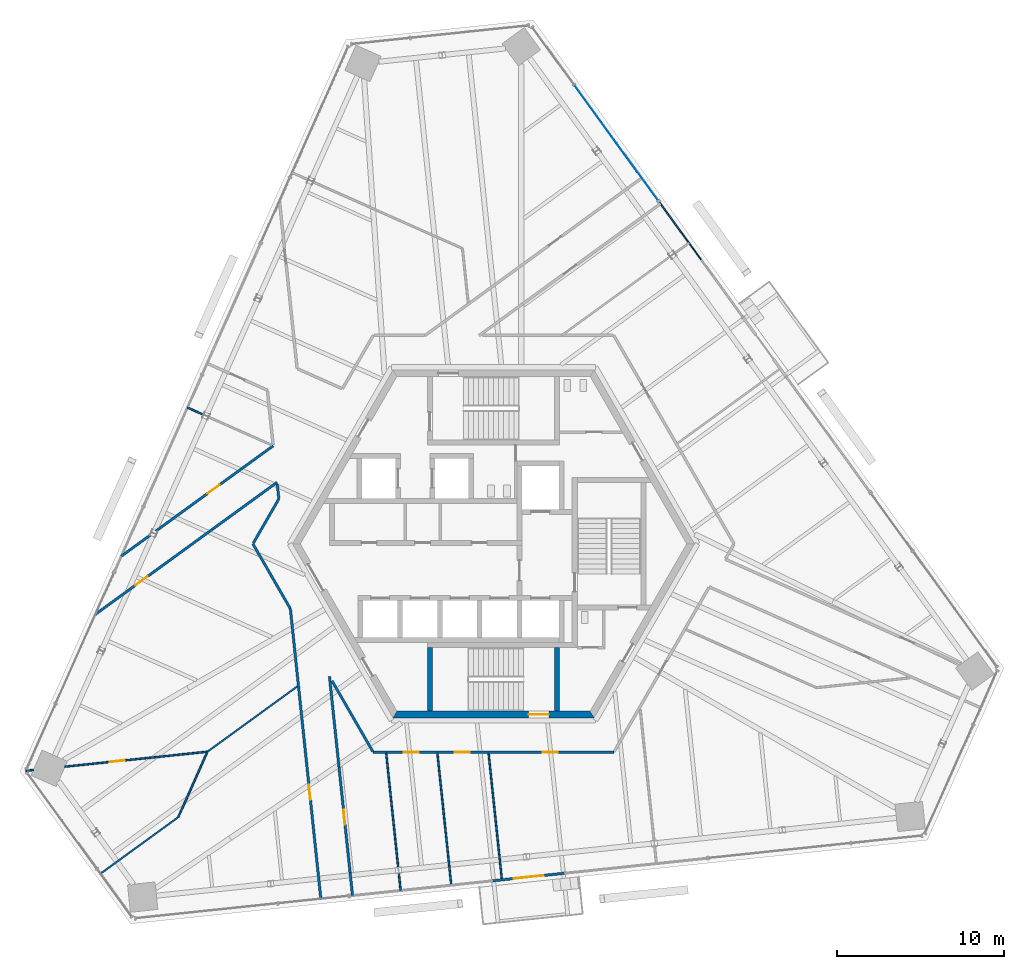
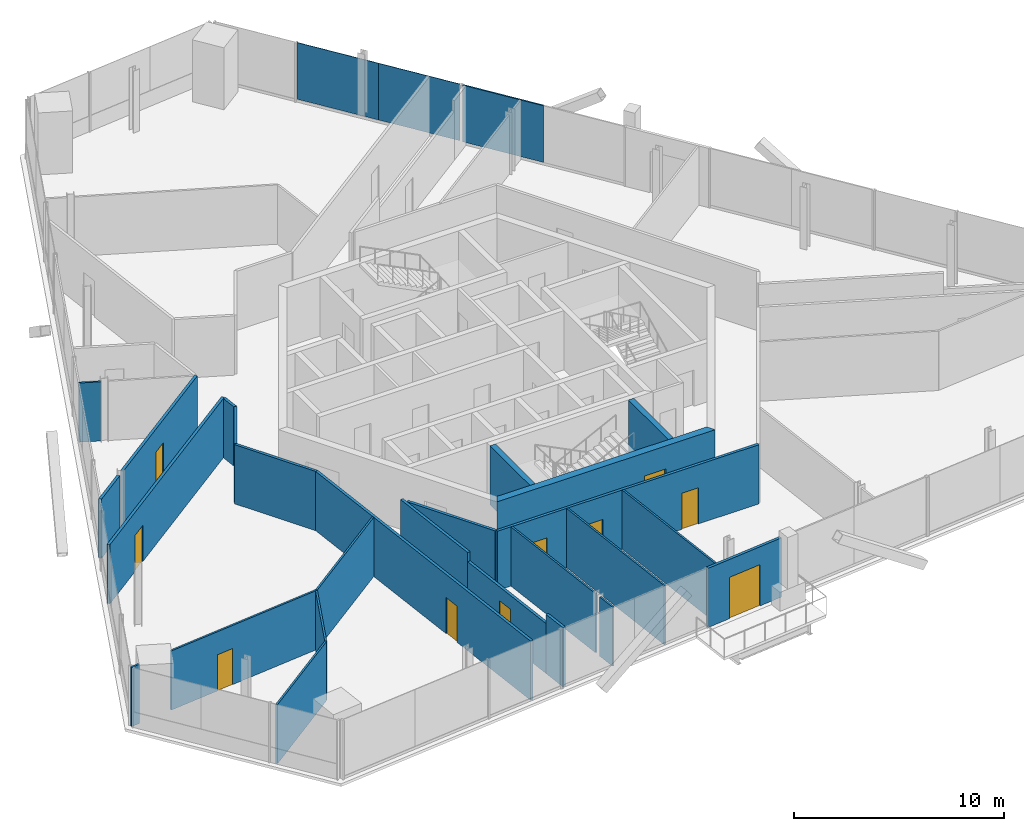
# One storey, part 11 of 18: 26 walls, 10 doors, 3 plates, 10 openings, 2 elements without a shape of their own.
"""IFC4 building model written with IfcOpenShell, lengths in metres."""

from ifc_helpers import new_model, si_unit, direction, frame, frame_2d, origin, origin_2d, place, context, subcontext, project, spatial, polyline, rectangle, outline, extrude, source, transform, mapped, material, layer, layer_set, type_object, element, fill, aggregate, save


model = new_model("IFC4")

# Units and contexts
model_context = context("Model", 3, precision=1e-05, world=origin(), true_north=direction((0.0, 1.0)))
body_context = subcontext(model_context, "Body", "Model", "MODEL_VIEW")
ifc_project = project(units=[si_unit("LENGTHUNIT", "METRE"), si_unit("AREAUNIT", "SQUARE_METRE"), si_unit("VOLUMEUNIT", "CUBIC_METRE"), si_unit("PLANEANGLEUNIT", "RADIAN"), si_unit("MASSUNIT", "GRAM", prefix="KILO")], contexts=[model_context])

# Site, building, storey
site_placement = place(None, origin())
site = spatial("IfcSite", under=ifc_project, at=site_placement, CompositionType="ELEMENT")
building_placement = place(site_placement, origin())
building = spatial("IfcBuilding", under=site, at=building_placement, Name="Triune Harvest Tower", CompositionType="ELEMENT")
storey_placement = place(building_placement, frame((0.0, 0.0, 230.5)))
storey = spatial("IfcBuildingStorey", under=building, at=storey_placement, Name="L60", CompositionType="ELEMENT", Elevation=230.5)

# Curtain wall, plates
ifc_material_1 = material(Name="Aluminium bronze anodised", Category="aluminium")
curtain_wall_type_1 = type_object("IfcCurtainWallType", Name="CW-6 Balcony window wall", PredefinedType="NOTDEFINED", material=ifc_material_1)
curtain_wall_1_placement = place(storey_placement, origin())
curtain_wall_1 = element("IfcCurtainWall", 1, at=curtain_wall_1_placement, inside=storey, type_object=curtain_wall_type_1, Name="CW-6 B6-F1 L60 run 1002")
ifc_material_2 = material(Name="Glass", Category="glass")
ifc_layer_1 = layer(ifc_material_2, 0.030029296875)
ifc_layer_set_1 = layer_set([ifc_layer_1], Name="Glass")
plate_type_1 = type_object("IfcPlateType", Name="GL-6 panel 30", PredefinedType="CURTAIN_PANEL", material=ifc_layer_set_1)
shared_shape_1 = source(origin(), body_context, "Body", "SweptSolid", [
    extrude(rectangle(XDim=4.223388671875, YDim=0.030029296875, at=origin_2d()), origin(), (0.0, 0.0, 1.0), 3.2900390625),
])
plate_1_placement = place(storey_placement, frame((8.576171875, 22.227783203125, 0.14990234375), z_axis=(0.0, 0.0, 1.0), x_axis=(-0.587786540333, 0.809016058557, 0.0)))
plate_1 = element("IfcPlate", 2, at=plate_1_placement, type_object=plate_type_1, Name="CW-6 panel B6-F1 1002.1", PredefinedType="CURTAIN_PANEL", context=body_context, shape_type="MappedRepresentation", body=[
    mapped(shared_shape_1, transform((0.0, 0.0, 0.0), scale=1.0)),
])
shared_shape_2 = source(origin(), body_context, "Body", "SweptSolid", [
    extrude(rectangle(XDim=4.260986328125, YDim=0.030029296875, at=origin_2d()), origin(), (0.0, 0.0, 1.0), 3.2900390625),
])
plate_2_placement = place(storey_placement, frame((6.082763671875, 25.65966796875, 0.14990234375), z_axis=(0.0, 0.0, 1.0), x_axis=(-0.587786540333, 0.809016058557, 0.0)))
plate_2 = element("IfcPlate", 3, at=plate_2_placement, type_object=plate_type_1, Name="CW-6 panel B6-F1 1002.2", PredefinedType="CURTAIN_PANEL", context=body_context, shape_type="MappedRepresentation", body=[
    mapped(shared_shape_2, transform((0.0, 0.0, 0.0), scale=1.0)),
])
aggregate(curtain_wall_1, [plate_1, plate_2])

# Curtain wall, plate
ifc_material_3 = material(Name="Aluminium bronze anodised", Category="aluminium")
curtain_wall_type_2 = type_object("IfcCurtainWallType", Name="CW-10 Balcony window wall with insulated spandrel infill", PredefinedType="NOTDEFINED", material=ifc_material_3)
curtain_wall_2_placement = place(storey_placement, origin())
curtain_wall_2 = element("IfcCurtainWall", 4, at=curtain_wall_2_placement, inside=storey, type_object=curtain_wall_type_2, Name="CW-10 B6-F1 L60 run 2")
ifc_material_4 = material(Name="Insulated spandrel panel, bronze aluminium pan", Category="aluminium")
ifc_layer_2 = layer(ifc_material_4, 0.080078125)
ifc_layer_set_2 = layer_set([ifc_layer_2], Name="Insulated spandrel panel, bronze aluminium pan")
plate_type_2 = type_object("IfcPlateType", Name="SP-1 insulated spandrel panel 80", PredefinedType="CURTAIN_PANEL", material=ifc_layer_set_2)
shared_shape_3 = source(origin(), body_context, "Body", "SweptSolid", [
    extrude(rectangle(XDim=4.223388671875, YDim=0.080078125, at=origin_2d()), origin(), (0.0, 0.0, 1.0), 3.2900390625),
])
plate_3_placement = place(storey_placement, frame((11.14697265625, 18.689697265625, 0.14990234375), z_axis=(0.0, 0.0, 1.0), x_axis=(-0.58778436965, 0.809017635651, 0.0)))
plate_3 = element("IfcPlate", 5, at=plate_3_placement, type_object=plate_type_2, Name="CW-10 panel B6-F1 2.2", PredefinedType="CURTAIN_PANEL", context=body_context, shape_type="MappedRepresentation", body=[
    mapped(shared_shape_3, transform((0.0, 0.0, 0.0), scale=1.0)),
])
aggregate(curtain_wall_2, [plate_3])

# Wall, opening, door
ifc_material_5 = material(Name="Gypsum board on steel studs", Category="steel")
ifc_layer_3 = layer(ifc_material_5, 0.14990234375)
ifc_layer_set_3 = layer_set([ifc_layer_3], Name="Gypsum board on steel studs")
wall_type_1 = type_object("IfcWallType", Name="Fire Partition 150 mm", PredefinedType="PARTITIONING", material=ifc_layer_set_3)
wall_1_placement = place(storey_placement, frame((-23.7685546875, -4.20458984375, 0.0), z_axis=(0.0, 0.0, 1.0), x_axis=(0.809019528147, 0.587781764839, 0.0)))
wall_1 = element("IfcWall", 6, at=wall_1_placement, inside=storey, type_object=wall_type_1, Name="Partition L60 036", PredefinedType="PARTITIONING", context=body_context, shape_type="SweptSolid", body=[
    extrude(rectangle(XDim=13.404541015625, YDim=0.14990234375, at=frame_2d((6.7021484375, 0.0))), origin(), (0.0, 0.0, 1.0), 3.43994140625),
])
opening_1_placement = place(wall_1_placement, frame((2.949951171875, 0.0, 0.0)))
opening_1 = element("IfcOpeningElement", 7, at=opening_1_placement, cuts=wall_1, Name="Opening L60-008", PredefinedType="OPENING", context=body_context, shape_type="SweptSolid", body=[
    extrude(rectangle(XDim=0.89990234375, YDim=2.10009765625, at=frame_2d((0.449951171875, 1.050048828125))), frame((0.0, 0.0849609375, 0.0), z_axis=(0.0, -1.0, 0.0), x_axis=(1.0, 0.0, 0.0)), (0.0, 0.0, 1.0), 0.169921875),
])
ifc_material_6 = material(Name="Timber and steel door set", Category="steel")
door_type_1 = type_object("IfcDoorType", Name="Single leaf door FD30 right hand 900 x 2100", OperationType="SINGLE_SWING_RIGHT", PredefinedType="DOOR", material=ifc_material_6)
door_1_placement = place(opening_1_placement, origin())
door_1 = element("IfcDoor", 8, at=door_1_placement, inside=storey, type_object=door_type_1, Name="Door L60-008 Open Office 60.08", OperationType="SINGLE_SWING_RIGHT", OverallHeight=2.10009765625, OverallWidth=0.89990234375, PredefinedType="DOOR", context=body_context, shape_type="SweptSolid", body=[
    extrude(rectangle(XDim=0.89990234375, YDim=2.10009765625, at=frame_2d((0.449951171875, 1.050048828125))), frame((0.0, 0.02490234375, 0.0), z_axis=(0.0, -1.0, 0.0), x_axis=(1.0, 0.0, 0.0)), (0.0, 0.0, 1.0), 0.050048828125),
])
fill(opening_1, door_1)

# Walls
ifc_material_7 = material(Name="Gypsum board on steel studs", Category="steel")
ifc_layer_4 = layer(ifc_material_7, 0.10009765625)
ifc_layer_set_4 = layer_set([ifc_layer_4], Name="Gypsum board on steel studs")
wall_type_2 = type_object("IfcWallType", Name="Partition 100 mm", PredefinedType="PARTITIONING", material=ifc_layer_set_4)
wall_2_placement = place(storey_placement, frame((-3.351318359375, -12.501953125, 0.0), z_axis=(0.0, 0.0, 1.0), x_axis=(0.104556418955, -0.99451895671, 0.0)))
element("IfcWall", 9, at=wall_2_placement, inside=storey, type_object=wall_type_2, Name="Partition L60 008", PredefinedType="PARTITIONING", context=body_context, shape_type="SweptSolid", body=[
    extrude(rectangle(XDim=7.92041015625, YDim=0.10009765625, at=frame_2d((3.960205078125, 0.0))), origin(), (0.0, 0.0, 1.0), 3.43994140625),
])
wall_3_placement = place(storey_placement, frame((-0.294677734375, -12.501953125, 0.0), z_axis=(0.0, 0.0, 1.0), x_axis=(0.104520923267, -0.994522687825, 0.0)))
element("IfcWall", 10, at=wall_3_placement, inside=storey, type_object=wall_type_2, Name="Partition L60 009", PredefinedType="PARTITIONING", context=body_context, shape_type="SweptSolid", body=[
    extrude(rectangle(XDim=7.600830078125, YDim=0.10009765625, at=frame_2d((3.80029296875, 0.0))), origin(), (0.0, 0.0, 1.0), 3.43994140625),
])
wall_4_placement = place(storey_placement, frame((-23.4677734375, -19.693359375, 0.0), z_axis=(0.0, 0.0, 1.0), x_axis=(0.80900994276, 0.587794957886, 0.0)))
element("IfcWall", 11, at=wall_4_placement, inside=storey, type_object=wall_type_2, Name="Partition L60 031", PredefinedType="PARTITIONING", context=body_context, shape_type="SweptSolid", body=[
    extrude(rectangle(XDim=5.7421875, YDim=0.10009765625, at=frame_2d((2.87109375, 0.0))), origin(), (0.0, 0.0, 1.0), 3.43994140625),
])
wall_5_placement = place(storey_placement, frame((-18.822265625, -16.318115234375, 0.0), z_axis=(0.0, 0.0, 1.0), x_axis=(0.406741510745, 0.913543290401, 0.0)))
element("IfcWall", 12, at=wall_5_placement, inside=storey, type_object=wall_type_2, Name="Partition L60 045", PredefinedType="PARTITIONING", context=body_context, shape_type="SweptSolid", body=[
    extrude(rectangle(XDim=4.20654296875, YDim=0.10009765625, at=frame_2d((2.103271484375, 0.0))), origin(), (0.0, 0.0, 1.0), 3.43994140625),
])

# Wall, opening, door
ifc_material_8 = material(Name="Concrete 70 MPa", Category="concrete")
ifc_layer_5 = layer(ifc_material_8, 0.39990234375)
ifc_layer_set_5 = layer_set([ifc_layer_5], Name="Concrete 70 MPa")
wall_type_3 = type_object("IfcWallType", Name="Core wall 400", PredefinedType="SHEAR", material=ifc_layer_set_5)
shared_shape_4 = source(origin(), body_context, "Body", "SweptSolid", [
    extrude(outline(polyline([(-0.115478515625, -0.199951171875), (11.884521484375, -0.199951171875), (11.653564453125, 0.199951171875), (0.115478515625, 0.199951171875), (-0.115478515625, -0.199951171875)])), origin(), (0.0, 0.0, 1.0), 3.43994140625),
])
wall_6_placement = place(storey_placement, frame((-5.884521484375, -10.1923828125, 0.0), z_axis=(0.0, 0.0, 1.0), x_axis=(1.0, 0.0, 0.0)))
wall_6 = element("IfcWall", 13, at=wall_6_placement, inside=storey, type_object=wall_type_3, Name="Hexagon 4 wall", PredefinedType="SHEAR", context=body_context, shape_type="MappedRepresentation", body=[
    mapped(shared_shape_4, transform((0.0, 0.0, 0.0), scale=1.0)),
])
opening_2_placement = place(wall_6_placement, frame((7.984619140625, 0.0, 0.0)))
opening_2 = element("IfcOpeningElement", 14, at=opening_2_placement, cuts=wall_6, Name="Opening CD-S2P", PredefinedType="OPENING", context=body_context, shape_type="SweptSolid", body=[
    extrude(rectangle(XDim=1.199951171875, YDim=2.10009765625, at=frame_2d((0.60009765625, 1.050048828125))), frame((0.0, 0.2099609375, 0.0), z_axis=(0.0, -1.0, 0.0), x_axis=(1.0, 0.0, 0.0)), (0.0, 0.0, 1.0), 0.419921875),
])
ifc_material_9 = material(Name="Steel S235", Category="steel")
door_type_2 = type_object("IfcDoorType", Name="Stair door 1200 FD120", OperationType="SINGLE_SWING_LEFT", PredefinedType="DOOR", material=ifc_material_9)
door_2_placement = place(opening_2_placement, frame((1.199951171875, 0.0, 0.0), z_axis=(0.0, 0.0, 1.0), x_axis=(-1.0, 0.0, 0.0)))
door_2 = element("IfcDoor", 15, at=door_2_placement, inside=storey, type_object=door_type_2, Name="Door CD-S2P", OperationType="SINGLE_SWING_RIGHT", OverallHeight=2.10009765625, OverallWidth=1.199951171875, PredefinedType="DOOR", context=body_context, shape_type="SweptSolid", body=[
    extrude(rectangle(XDim=1.199951171875, YDim=2.10009765625, at=frame_2d((0.60009765625, 1.050048828125))), frame((0.0, 0.02490234375, 0.0), z_axis=(0.0, -1.0, 0.0), x_axis=(1.0, 0.0, 0.0)), (0.0, 0.0, 1.0), 0.050048828125),
])
fill(opening_2, door_2)

# Walls
ifc_material_10 = material(Name="Concrete 70 MPa", Category="concrete")
ifc_layer_6 = layer(ifc_material_10, 0.300048828125)
ifc_layer_set_6 = layer_set([ifc_layer_6], Name="Concrete 70 MPa")
wall_type_4 = type_object("IfcWallType", Name="Core wall 300", PredefinedType="SHEAR", material=ifc_layer_set_6)
shared_shape_5 = source(origin(), body_context, "Body", "SweptSolid", [
    extrude(outline(polyline([(3.800048828125, -0.14990234375), (-0.00439453125, -0.14990234375), (-0.00439453125, 0.14990234375), (3.800048828125, 0.14990234375), (3.800048828125, -0.14990234375)])), origin(), (0.0, 0.0, 1.0), 3.43994140625),
])
for number, where, z_axis, x_axis, name in (
    (16, (-3.800048828125, -9.989990234375, 0.0), (0.0, 0.0, 1.0), (0.0, 1.0, 0.0), "Stair s west wall"),
    (17, (3.800048828125, -9.989990234375, 0.0), (0.0, 0.0, 1.0), (0.0, 1.0, 0.0), "Stair s east wall"),
):
    element("IfcWall", number, at=place(storey_placement, frame(where, z_axis=z_axis, x_axis=x_axis)), inside=storey, type_object=wall_type_4, Name=name, PredefinedType="SHEAR", context=body_context, shape_type="MappedRepresentation", body=[
        mapped(shared_shape_5, transform((0.0, 0.0, 0.0), scale=1.0)),
    ])

# Wall, opening, door
ifc_material_11 = material(Name="Aluminium bronze anodised", Category="aluminium")
ifc_layer_7 = layer(ifc_material_11, 0.14990234375)
ifc_layer_set_7 = layer_set([ifc_layer_7], Name="Aluminium bronze anodised")
wall_type_5 = type_object("IfcWallType", Name="WW-2 balcony window wall", PredefinedType="ELEMENTEDWALL", material=ifc_layer_set_7)
shared_shape_6 = source(origin(), body_context, "Body", "SweptSolid", [
    extrude(rectangle(XDim=4.31640625, YDim=0.14990234375, at=frame_2d((2.158203125, 0.0))), origin(), (0.0, 0.0, 1.0), 3.43994140625),
])
wall_7_placement = place(storey_placement, frame((4.2373046875, -19.668212890625, 0.0), z_axis=(0.0, 0.0, 1.0), x_axis=(-0.99452217624, -0.104525790917, 0.0)))
wall_7 = element("IfcWall", 18, at=wall_7_placement, inside=storey, type_object=wall_type_5, Name="WW-2 B6-F5 L60.6", PredefinedType="ELEMENTEDWALL", context=body_context, shape_type="MappedRepresentation", body=[
    mapped(shared_shape_6, transform((0.0, 0.0, 0.0), scale=1.0)),
])
opening_3_placement = place(wall_7_placement, frame((1.25830078125, 0.0, 0.0)))
opening_3 = element("IfcOpeningElement", 19, at=opening_3_placement, cuts=wall_7, Name="Opening L60-E02", PredefinedType="OPENING", context=body_context, shape_type="SweptSolid", body=[
    extrude(rectangle(XDim=1.800048828125, YDim=2.39990234375, at=frame_2d((0.89990234375, 1.199951171875))), frame((0.0, 0.0849609375, 0.0), z_axis=(0.0, -1.0, 0.0), x_axis=(1.0, 0.0, 0.0)), (0.0, 0.0, 1.0), 0.169921875),
])
ifc_material_12 = material(Name="Glass", Category="glass")
door_type_3 = type_object("IfcDoorType", Name="DB-1 balcony door 1800 x 2400", OperationType="DOUBLE_DOOR_SINGLE_SWING", PredefinedType="DOOR", material=ifc_material_12)
door_3_placement = place(opening_3_placement, origin())
door_3 = element("IfcDoor", 20, at=door_3_placement, inside=storey, type_object=door_type_3, Name="Door L60-E02", OperationType="DOUBLE_DOOR_SINGLE_SWING", OverallHeight=2.39990234375, OverallWidth=1.800048828125, PredefinedType="DOOR", context=body_context, shape_type="SweptSolid", body=[
    extrude(rectangle(XDim=1.800048828125, YDim=2.39990234375, at=frame_2d((0.89990234375, 1.199951171875))), frame((0.0, 0.02490234375, 0.0), z_axis=(0.0, -1.0, 0.0), x_axis=(1.0, 0.0, 0.0)), (0.0, 0.0, 1.0), 0.050048828125),
])
fill(opening_3, door_3)

# Wall, openings, doors
shared_shape_7 = source(origin(), body_context, "Body", "SweptSolid", [
    extrude(rectangle(XDim=14.3671875, YDim=0.14990234375, at=frame_2d((7.18359375, 0.0))), origin(), (0.0, 0.0, 1.0), 3.43994140625),
])
wall_8_placement = place(storey_placement, frame((-7.18359375, -12.4423828125, 0.0), z_axis=(0.0, 0.0, 1.0), x_axis=(1.0, 0.0, 0.0)))
wall_8 = element("IfcWall", 21, at=wall_8_placement, inside=storey, type_object=wall_type_1, Name="Partition L60 025", PredefinedType="PARTITIONING", context=body_context, shape_type="MappedRepresentation", body=[
    mapped(shared_shape_7, transform((0.0, 0.0, 0.0), scale=1.0)),
])
opening_4_placement = place(wall_8_placement, frame((1.819580078125, 0.0, 0.0)))
opening_4 = element("IfcOpeningElement", 22, at=opening_4_placement, cuts=wall_8, Name="Opening L60-013", PredefinedType="OPENING", context=body_context, shape_type="SweptSolid", body=[
    extrude(rectangle(XDim=0.89990234375, YDim=2.10009765625, at=frame_2d((0.449951171875, 1.050048828125))), frame((0.0, 0.0849609375, 0.0), z_axis=(0.0, -1.0, 0.0), x_axis=(1.0, 0.0, 0.0)), (0.0, 0.0, 1.0), 0.169921875),
])
opening_5_placement = place(wall_8_placement, frame((4.876220703125, 0.0, 0.0)))
opening_5 = element("IfcOpeningElement", 23, at=opening_5_placement, cuts=wall_8, Name="Opening L60-014", PredefinedType="OPENING", context=body_context, shape_type="SweptSolid", body=[
    extrude(rectangle(XDim=0.89990234375, YDim=2.10009765625, at=frame_2d((0.449951171875, 1.050048828125))), frame((0.0, 0.0849609375, 0.0), z_axis=(0.0, -1.0, 0.0), x_axis=(1.0, 0.0, 0.0)), (0.0, 0.0, 1.0), 0.169921875),
])
opening_6_placement = place(wall_8_placement, frame((10.132568359375, 0.0, 0.0)))
opening_6 = element("IfcOpeningElement", 24, at=opening_6_placement, cuts=wall_8, Name="Opening L60-015", PredefinedType="OPENING", context=body_context, shape_type="SweptSolid", body=[
    extrude(rectangle(XDim=0.89990234375, YDim=2.10009765625, at=frame_2d((0.449951171875, 1.050048828125))), frame((0.0, 0.0849609375, 0.0), z_axis=(0.0, -1.0, 0.0), x_axis=(1.0, 0.0, 0.0)), (0.0, 0.0, 1.0), 0.169921875),
])
ifc_material_13 = material(Name="Timber and steel door set", Category="steel")
door_type_4 = type_object("IfcDoorType", Name="Single leaf door FD30 left hand 900 x 2100", OperationType="SINGLE_SWING_LEFT", PredefinedType="DOOR", material=ifc_material_13)
door_4_placement = place(opening_6_placement, origin())
door_4 = element("IfcDoor", 25, at=door_4_placement, inside=storey, type_object=door_type_4, Name="Door L60-015 Office 60.15", OperationType="SINGLE_SWING_LEFT", OverallHeight=2.10009765625, OverallWidth=0.89990234375, PredefinedType="DOOR", context=body_context, shape_type="SweptSolid", body=[
    extrude(rectangle(XDim=0.89990234375, YDim=2.10009765625, at=frame_2d((0.449951171875, 1.050048828125))), frame((0.0, 0.02490234375, 0.0), z_axis=(0.0, -1.0, 0.0), x_axis=(1.0, 0.0, 0.0)), (0.0, 0.0, 1.0), 0.050048828125),
])
fill(opening_6, door_4)
door_5_placement = place(opening_4_placement, origin())
door_5 = element("IfcDoor", 26, at=door_5_placement, inside=storey, type_object=door_type_1, Name="Door L60-013 Office 60.13", OperationType="SINGLE_SWING_RIGHT", OverallHeight=2.10009765625, OverallWidth=0.89990234375, PredefinedType="DOOR", context=body_context, shape_type="SweptSolid", body=[
    extrude(rectangle(XDim=0.89990234375, YDim=2.10009765625, at=frame_2d((0.449951171875, 1.050048828125))), frame((0.0, 0.02490234375, 0.0), z_axis=(0.0, -1.0, 0.0), x_axis=(1.0, 0.0, 0.0)), (0.0, 0.0, 1.0), 0.050048828125),
])
fill(opening_4, door_5)
door_6_placement = place(opening_5_placement, origin())
door_6 = element("IfcDoor", 27, at=door_6_placement, inside=storey, type_object=door_type_1, Name="Door L60-014 Office 60.14", OperationType="SINGLE_SWING_RIGHT", OverallHeight=2.10009765625, OverallWidth=0.89990234375, PredefinedType="DOOR", context=body_context, shape_type="SweptSolid", body=[
    extrude(rectangle(XDim=0.89990234375, YDim=2.10009765625, at=frame_2d((0.449951171875, 1.050048828125))), frame((0.0, 0.02490234375, 0.0), z_axis=(0.0, -1.0, 0.0), x_axis=(1.0, 0.0, 0.0)), (0.0, 0.0, 1.0), 0.050048828125),
])
fill(opening_5, door_6)

# Walls
shared_shape_8 = source(origin(), body_context, "Body", "SweptSolid", [
    extrude(rectangle(XDim=1.0478515625, YDim=0.10009765625, at=frame_2d((0.52392578125, 0.0))), origin(), (0.0, 0.0, 1.0), 3.43994140625),
])
for number, where, z_axis, x_axis, name in (
    (28, (-5.656005859375, -19.654541015625, 0.0), (0.0, 0.0, 1.0), (0.104624136351, -0.994511835069, 0.0), "Partition L60 007"),
    (29, (-18.274169921875, 8.13623046875, 0.0), (0.0, 0.0, 1.0), (0.913609658968, -0.406592413899, 0.0), "Partition L60 016"),
):
    element("IfcWall", number, at=place(storey_placement, frame(where, z_axis=z_axis, x_axis=x_axis)), inside=storey, type_object=wall_type_2, Name=name, PredefinedType="PARTITIONING", context=body_context, shape_type="MappedRepresentation", body=[
        mapped(shared_shape_8, transform((0.0, 0.0, 0.0), scale=1.0)),
    ])
shared_shape_9 = source(origin(), body_context, "Body", "SweptSolid", [
    extrude(rectangle(XDim=0.859375, YDim=0.14990234375, at=frame_2d((0.4296875, 0.0))), origin(), (0.0, 0.0, 1.0), 3.43994140625),
])
wall_9_placement = place(storey_placement, frame((-12.91259765625, 3.564453125, 0.0), z_axis=(0.0, 0.0, 1.0), x_axis=(0.104817863394, -0.994491435616, 0.0)))
element("IfcWall", 30, at=wall_9_placement, inside=storey, type_object=wall_type_1, Name="Partition L60 002", PredefinedType="PARTITIONING", context=body_context, shape_type="MappedRepresentation", body=[
    mapped(shared_shape_9, transform((0.0, 0.0, 0.0), scale=1.0)),
])

# Wall, opening, door
shared_shape_10 = source(origin(), body_context, "Body", "SweptSolid", [
    extrude(rectangle(XDim=17.4189453125, YDim=0.14990234375, at=frame_2d((8.70947265625, 0.0))), origin(), (0.0, 0.0, 1.0), 3.43994140625),
])
wall_10_placement = place(storey_placement, frame((-12.130859375, -3.87353515625, 0.0), z_axis=(0.0, 0.0, 1.0), x_axis=(0.104516247132, -0.99452317926, 0.0)))
wall_10 = element("IfcWall", 31, at=wall_10_placement, inside=storey, type_object=wall_type_1, Name="Partition L60 003", PredefinedType="PARTITIONING", context=body_context, shape_type="MappedRepresentation", body=[
    mapped(shared_shape_10, transform((0.0, 0.0, 0.0), scale=1.0)),
])
opening_7_placement = place(wall_10_placement, frame((10.564697265625, 0.0, 0.0)))
opening_7 = element("IfcOpeningElement", 32, at=opening_7_placement, cuts=wall_10, Name="Opening L60-011", PredefinedType="OPENING", context=body_context, shape_type="SweptSolid", body=[
    extrude(rectangle(XDim=0.89990234375, YDim=2.10009765625, at=frame_2d((0.449951171875, 1.050048828125))), frame((0.0, 0.0849609375, 0.0), z_axis=(0.0, -1.0, 0.0), x_axis=(1.0, 0.0, 0.0)), (0.0, 0.0, 1.0), 0.169921875),
])
door_7_placement = place(opening_7_placement, origin())
door_7 = element("IfcDoor", 33, at=door_7_placement, inside=storey, type_object=door_type_4, Name="Door L60-011 Office 60.11", OperationType="SINGLE_SWING_LEFT", OverallHeight=2.10009765625, OverallWidth=0.89990234375, PredefinedType="DOOR", context=body_context, shape_type="SweptSolid", body=[
    extrude(rectangle(XDim=0.89990234375, YDim=2.10009765625, at=frame_2d((0.449951171875, 1.050048828125))), frame((0.0, 0.02490234375, 0.0), z_axis=(0.0, -1.0, 0.0), x_axis=(1.0, 0.0, 0.0)), (0.0, 0.0, 1.0), 0.050048828125),
])
fill(opening_7, door_7)

# Wall
shared_shape_11 = source(origin(), body_context, "Body", "SweptSolid", [
    extrude(rectangle(XDim=5.437255859375, YDim=0.14990234375, at=frame_2d((2.71875, 0.0))), origin(), (0.0, 0.0, 1.0), 3.43994140625),
])
wall_11_placement = place(storey_placement, frame((-9.794921875, -7.919189453125, 0.0), z_axis=(0.0, 0.0, 1.0), x_axis=(0.104486108065, -0.994526346168, 0.0)))
element("IfcWall", 34, at=wall_11_placement, inside=storey, type_object=wall_type_1, Name="Partition L60 005", PredefinedType="PARTITIONING", context=body_context, shape_type="MappedRepresentation", body=[
    mapped(shared_shape_11, transform((0.0, 0.0, 0.0), scale=1.0)),
])

# Wall, opening, door
shared_shape_12 = source(origin(), body_context, "Body", "SweptSolid", [
    extrude(rectangle(XDim=6.34619140625, YDim=0.14990234375, at=frame_2d((3.173095703125, 0.0))), origin(), (0.0, 0.0, 1.0), 2.904052734375),
])
wall_12_placement = place(storey_placement, frame((-9.226806640625, -13.32666015625, 0.0), z_axis=(0.0, 0.0, 1.0), x_axis=(0.104560626719, -0.994518514327, 0.0)))
wall_12 = element("IfcWall", 35, at=wall_12_placement, inside=storey, type_object=wall_type_1, Name="Partition L60 005a", PredefinedType="PARTITIONING", context=body_context, shape_type="MappedRepresentation", body=[
    mapped(shared_shape_12, transform((0.0, 0.0, 0.0), scale=1.0)),
])
opening_8_placement = place(wall_12_placement, frame((2.564453125, 0.0, 0.0)))
opening_8 = element("IfcOpeningElement", 36, at=opening_8_placement, cuts=wall_12, Name="Opening L60-012", PredefinedType="OPENING", context=body_context, shape_type="SweptSolid", body=[
    extrude(rectangle(XDim=0.89990234375, YDim=2.10009765625, at=frame_2d((0.449951171875, 1.050048828125))), frame((0.0, 0.0849609375, 0.0), z_axis=(0.0, -1.0, 0.0), x_axis=(1.0, 0.0, 0.0)), (0.0, 0.0, 1.0), 0.169921875),
])
door_8_placement = place(opening_8_placement, origin())
door_8 = element("IfcDoor", 37, at=door_8_placement, inside=storey, type_object=door_type_1, Name="Door L60-012 Meeting Room 60.12", OperationType="SINGLE_SWING_RIGHT", OverallHeight=2.10009765625, OverallWidth=0.89990234375, PredefinedType="DOOR", context=body_context, shape_type="SweptSolid", body=[
    extrude(rectangle(XDim=0.89990234375, YDim=2.10009765625, at=frame_2d((0.449951171875, 1.050048828125))), frame((0.0, 0.02490234375, 0.0), z_axis=(0.0, -1.0, 0.0), x_axis=(1.0, 0.0, 0.0)), (0.0, 0.0, 1.0), 0.050048828125),
])
fill(opening_8, door_8)

# Walls
shared_shape_13 = source(origin(), body_context, "Body", "SweptSolid", [
    extrude(rectangle(XDim=1.3681640625, YDim=0.14990234375, at=frame_2d((0.68408203125, 0.0))), origin(), (0.0, 0.0, 1.0), 3.43994140625),
])
wall_13_placement = place(storey_placement, frame((-8.563232421875, -19.63818359375, 0.0), z_axis=(0.0, 0.0, 1.0), x_axis=(0.1043968058, -0.994535724315, 0.0)))
element("IfcWall", 38, at=wall_13_placement, inside=storey, type_object=wall_type_1, Name="Partition L60 005b", PredefinedType="PARTITIONING", context=body_context, shape_type="MappedRepresentation", body=[
    mapped(shared_shape_13, transform((0.0, 0.0, 0.0), scale=1.0)),
])
shared_shape_14 = source(origin(), body_context, "Body", "SweptSolid", [
    extrude(rectangle(XDim=6.8564453125, YDim=0.10009765625, at=frame_2d((3.42822265625, 0.0))), origin(), (0.0, 0.0, 1.0), 3.43994140625),
])
wall_14_placement = place(storey_placement, frame((-6.40771484375, -12.501953125, 0.0), z_axis=(0.0, 0.0, 1.0), x_axis=(0.104543913948, -0.994520271315, 0.0)))
element("IfcWall", 39, at=wall_14_placement, inside=storey, type_object=wall_type_2, Name="Partition L60 006", PredefinedType="PARTITIONING", context=body_context, shape_type="MappedRepresentation", body=[
    mapped(shared_shape_14, transform((0.0, 0.0, 0.0), scale=1.0)),
])
shared_shape_15 = source(origin(), body_context, "Body", "SweptSolid", [
    extrude(rectangle(XDim=4.462646484375, YDim=0.14990234375, at=frame_2d((2.2314453125, 0.0))), origin(), (0.0, 0.0, 1.0), 3.43994140625),
])
wall_15_placement = place(storey_placement, frame((-14.3671875, 0.0, 0.0), z_axis=(0.0, 0.0, 1.0), x_axis=(0.500022371132, -0.86601248742, 0.0)))
element("IfcWall", 40, at=wall_15_placement, inside=storey, type_object=wall_type_1, Name="Partition L60 013", PredefinedType="PARTITIONING", context=body_context, shape_type="MappedRepresentation", body=[
    mapped(shared_shape_15, transform((0.0, 0.0, 0.0), scale=1.0)),
])
shared_shape_16 = source(origin(), body_context, "Body", "SweptSolid", [
    extrude(rectangle(XDim=4.872802734375, YDim=0.14990234375, at=frame_2d((2.4365234375, 0.0))), origin(), (0.0, 0.0, 1.0), 3.43994140625),
])
wall_16_placement = place(storey_placement, frame((-9.64501953125, -8.178955078125, 0.0), z_axis=(0.0, 0.0, 1.0), x_axis=(0.500018810599, -0.866014543207, 0.0)))
element("IfcWall", 41, at=wall_16_placement, inside=storey, type_object=wall_type_1, Name="Partition L60 014", PredefinedType="PARTITIONING", context=body_context, shape_type="MappedRepresentation", body=[
    mapped(shared_shape_16, transform((0.0, 0.0, 0.0), scale=1.0)),
])
shared_shape_17 = source(origin(), body_context, "Body", "SweptSolid", [
    extrude(rectangle(XDim=0.46240234375, YDim=0.10009765625, at=frame_2d((0.231201171875, 0.0))), origin(), (0.0, 0.0, 1.0), 3.43994140625),
])
wall_17_placement = place(storey_placement, frame((-27.93017578125, -13.551513671875, 0.0), z_axis=(0.0, 0.0, 1.0), x_axis=(0.994522794159, 0.104519911488, 0.0)))
element("IfcWall", 42, at=wall_17_placement, inside=storey, type_object=wall_type_2, Name="Partition L60 028", PredefinedType="PARTITIONING", context=body_context, shape_type="MappedRepresentation", body=[
    mapped(shared_shape_17, transform((0.0, 0.0, 0.0), scale=1.0)),
])

# Wall, opening, door
shared_shape_18 = source(origin(), body_context, "Body", "SweptSolid", [
    extrude(rectangle(XDim=8.5625, YDim=0.10009765625, at=frame_2d((4.28125, 0.0))), origin(), (0.0, 0.0, 1.0), 3.43994140625),
])
wall_18_placement = place(storey_placement, frame((-25.598388671875, -13.306396484375, 0.0), z_axis=(0.0, 0.0, 1.0), x_axis=(0.994522001262, 0.104527455752, 0.0)))
wall_18 = element("IfcWall", 43, at=wall_18_placement, inside=storey, type_object=wall_type_2, Name="Partition L60 029", PredefinedType="PARTITIONING", context=body_context, shape_type="MappedRepresentation", body=[
    mapped(shared_shape_18, transform((0.0, 0.0, 0.0), scale=1.0)),
])
opening_9_placement = place(wall_18_placement, frame((2.705322265625, 0.0, 0.0)))
opening_9 = element("IfcOpeningElement", 44, at=opening_9_placement, cuts=wall_18, Name="Opening L60-010", PredefinedType="OPENING", context=body_context, shape_type="SweptSolid", body=[
    extrude(rectangle(XDim=0.89990234375, YDim=2.10009765625, at=frame_2d((0.449951171875, 1.050048828125))), frame((0.0, 0.06005859375, 0.0), z_axis=(0.0, -1.0, 0.0), x_axis=(1.0, 0.0, 0.0)), (0.0, 0.0, 1.0), 0.1201171875),
])
ifc_material_14 = material(Name="Timber and steel door set", Category="steel")
door_type_5 = type_object("IfcDoorType", Name="Single leaf door right hand 900 x 2100", OperationType="SINGLE_SWING_RIGHT", PredefinedType="DOOR", material=ifc_material_14)
door_9_placement = place(opening_9_placement, origin())
door_9 = element("IfcDoor", 45, at=door_9_placement, inside=storey, type_object=door_type_5, Name="Door L60-010 Reception 60.10", OperationType="SINGLE_SWING_RIGHT", OverallHeight=2.10009765625, OverallWidth=0.89990234375, PredefinedType="DOOR", context=body_context, shape_type="SweptSolid", body=[
    extrude(rectangle(XDim=0.89990234375, YDim=2.10009765625, at=frame_2d((0.449951171875, 1.050048828125))), frame((0.0, 0.02490234375, 0.0), z_axis=(0.0, -1.0, 0.0), x_axis=(1.0, 0.0, 0.0)), (0.0, 0.0, 1.0), 0.050048828125),
])
fill(opening_9, door_9)

# Walls
shared_shape_19 = source(origin(), body_context, "Body", "SweptSolid", [
    extrude(rectangle(XDim=6.617431640625, YDim=0.10009765625, at=frame_2d((3.30859375, 0.0))), origin(), (0.0, 0.0, 1.0), 3.43994140625),
])
wall_19_placement = place(storey_placement, frame((-17.07470703125, -12.405517578125, 0.0), z_axis=(0.0, 0.0, 1.0), x_axis=(0.809010407459, 0.587794318298, 0.0)))
element("IfcWall", 46, at=wall_19_placement, inside=storey, type_object=wall_type_2, Name="Partition L60 033", PredefinedType="PARTITIONING", context=body_context, shape_type="MappedRepresentation", body=[
    mapped(shared_shape_19, transform((0.0, 0.0, 0.0), scale=1.0)),
])
shared_shape_20 = source(origin(), body_context, "Body", "SweptSolid", [
    extrude(rectangle(XDim=2.14208984375, YDim=0.14990234375, at=frame_2d((1.071044921875, 0.0))), origin(), (0.0, 0.0, 1.0), 3.43994140625),
])
wall_20_placement = place(storey_placement, frame((-22.222900390625, -0.733154296875, 0.0), z_axis=(0.0, 0.0, 1.0), x_axis=(0.809016932792, 0.587785337054, 0.0)))
element("IfcWall", 47, at=wall_20_placement, inside=storey, type_object=wall_type_1, Name="Partition L60 038", PredefinedType="PARTITIONING", context=body_context, shape_type="MappedRepresentation", body=[
    mapped(shared_shape_20, transform((0.0, 0.0, 0.0), scale=1.0)),
])

# Wall, opening, door
shared_shape_21 = source(origin(), body_context, "Body", "SweptSolid", [
    extrude(rectangle(XDim=8.666259765625, YDim=0.14990234375, at=frame_2d((4.3330078125, 0.0))), origin(), (0.0, 0.0, 1.0), 3.43994140625),
])
wall_21_placement = place(storey_placement, frame((-20.16455078125, 0.76220703125, 0.0), z_axis=(0.0, 0.0, 1.0), x_axis=(0.809014962438, 0.587788049003, 0.0)))
wall_21 = element("IfcWall", 48, at=wall_21_placement, inside=storey, type_object=wall_type_1, Name="Partition L60 039", PredefinedType="PARTITIONING", context=body_context, shape_type="MappedRepresentation", body=[
    mapped(shared_shape_21, transform((0.0, 0.0, 0.0), scale=1.0)),
])
opening_10_placement = place(wall_21_placement, frame((3.81640625, 0.0, 0.0)))
opening_10 = element("IfcOpeningElement", 49, at=opening_10_placement, cuts=wall_21, Name="Opening L60-009", PredefinedType="OPENING", context=body_context, shape_type="SweptSolid", body=[
    extrude(rectangle(XDim=0.89990234375, YDim=2.10009765625, at=frame_2d((0.449951171875, 1.050048828125))), frame((0.0, 0.0849609375, 0.0), z_axis=(0.0, -1.0, 0.0), x_axis=(1.0, 0.0, 0.0)), (0.0, 0.0, 1.0), 0.169921875),
])
door_10_placement = place(opening_10_placement, origin())
door_10 = element("IfcDoor", 50, at=door_10_placement, inside=storey, type_object=door_type_4, Name="Door L60-009 Open Office 60.09", OperationType="SINGLE_SWING_LEFT", OverallHeight=2.10009765625, OverallWidth=0.89990234375, PredefinedType="DOOR", context=body_context, shape_type="SweptSolid", body=[
    extrude(rectangle(XDim=0.89990234375, YDim=2.10009765625, at=frame_2d((0.449951171875, 1.050048828125))), frame((0.0, 0.02490234375, 0.0), z_axis=(0.0, -1.0, 0.0), x_axis=(1.0, 0.0, 0.0)), (0.0, 0.0, 1.0), 0.050048828125),
])
fill(opening_10, door_10)

# Wall
shared_shape_22 = source(origin(), body_context, "Body", "SweptSolid", [
    extrude(rectangle(XDim=3.045166015625, YDim=0.14990234375, at=frame_2d((1.5224609375, 0.0))), origin(), (0.0, 0.0, 1.0), 3.43994140625),
])
wall_22_placement = place(storey_placement, frame((-14.342041015625, 0.04345703125, 0.0), z_axis=(0.0, 0.0, 1.0), x_axis=(0.499967672858, 0.866044067064, 0.0)))
element("IfcWall", 51, at=wall_22_placement, inside=storey, type_object=wall_type_1, Name="Partition L60 043", PredefinedType="PARTITIONING", context=body_context, shape_type="MappedRepresentation", body=[
    mapped(shared_shape_22, transform((0.0, 0.0, 0.0), scale=1.0)),
])

save(model, "model.ifc")
